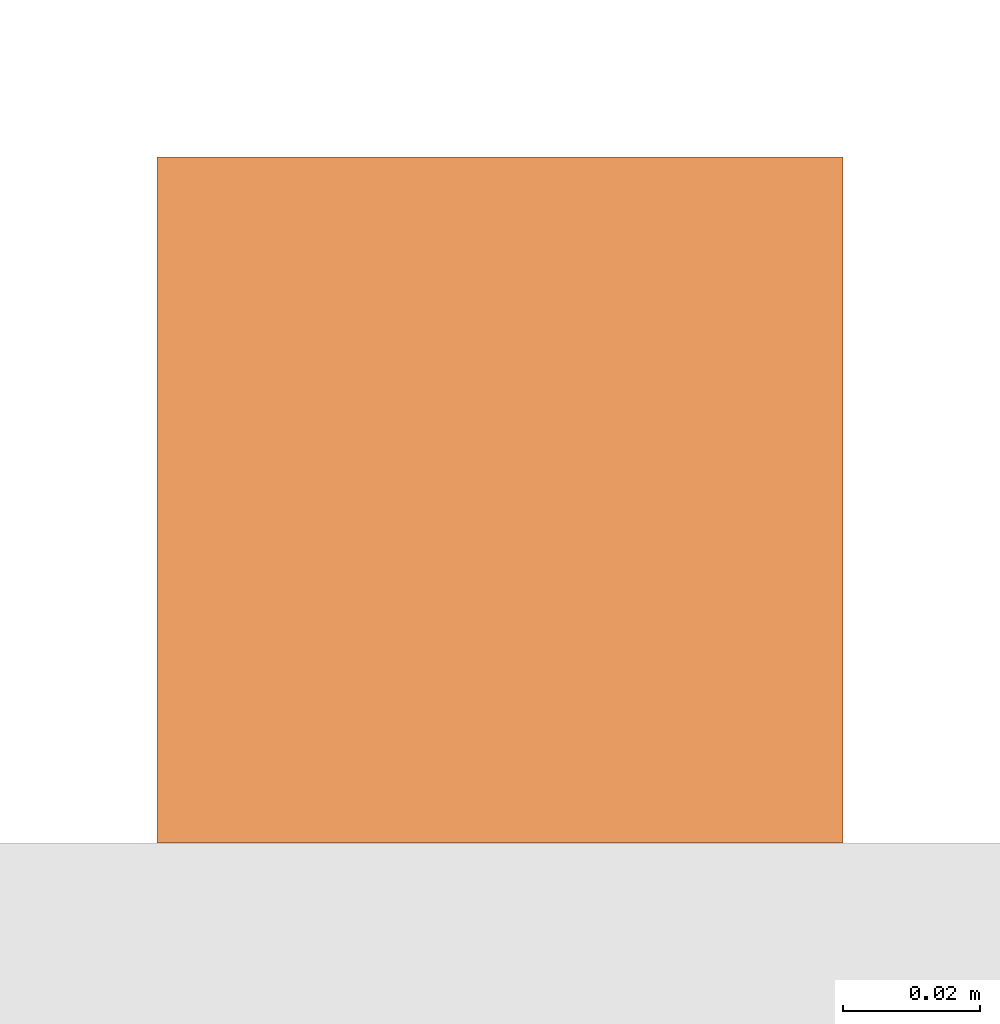
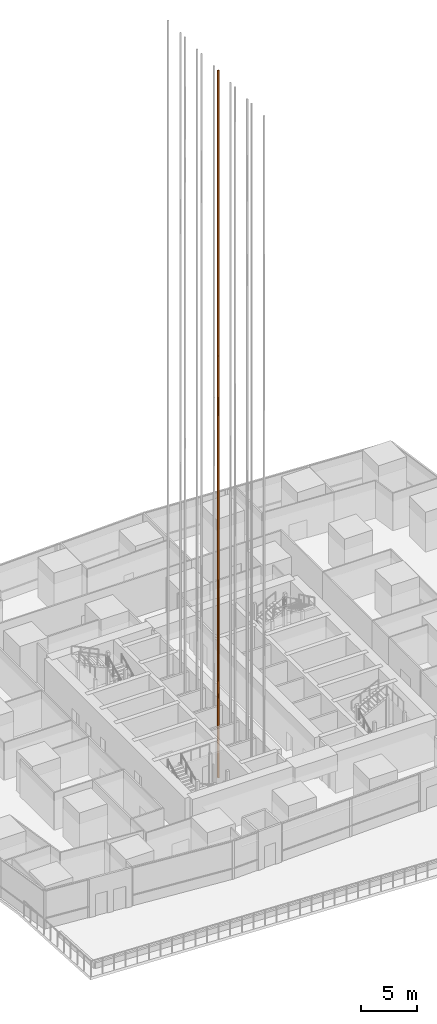
# One storey, part 38 of 44: 1 proxy.
"""IFC4 building model written with IfcOpenShell, lengths in metres."""

from ifc_helpers import new_model, si_unit, direction, frame, origin, origin_2d, place, context, subcontext, project, spatial, rectangle, extrude, material, type_object, element, save


model = new_model("IFC4")

# Units and contexts
model_context = context("Model", 3, precision=1e-05, world=origin(), true_north=direction((0.0, 1.0)))
body_context = subcontext(model_context, "Body", "Model", "MODEL_VIEW")
ifc_project = project(units=[si_unit("LENGTHUNIT", "METRE"), si_unit("AREAUNIT", "SQUARE_METRE"), si_unit("VOLUMEUNIT", "CUBIC_METRE"), si_unit("PLANEANGLEUNIT", "RADIAN"), si_unit("MASSUNIT", "GRAM", prefix="KILO")], contexts=[model_context])

# Site, building, storey
site_placement = place(None, origin())
site = spatial("IfcSite", under=ifc_project, at=site_placement, CompositionType="ELEMENT")
building_placement = place(site_placement, origin())
building = spatial("IfcBuilding", under=site, at=building_placement, Name="Rekha Terrace Tower", CompositionType="ELEMENT")
storey_placement = place(building_placement, frame((0.0, 0.0, 90.800048828125)))
storey = spatial("IfcBuildingStorey", under=building, at=storey_placement, Name="L22", CompositionType="ELEMENT", Elevation=90.800048828125)

# Proxy
ifc_material = material(Name="Steel guide rail", Category="steel")
building_element_proxy_type = type_object("IfcBuildingElementProxyType", Name="LR1 100 lift guide rail", PredefinedType="ELEMENT", material=ifc_material)
proxy_placement = place(storey_placement, frame((34.5, 32.0, -3.300048828125), z_axis=(0.0, 0.0, 1.0), x_axis=(1.0, 0.0, 0.0)))
element("IfcBuildingElementProxy", 1, at=proxy_placement, inside=storey, type_object=building_element_proxy_type, Name="Lift B3 guide rail 2", PredefinedType="ELEMENT", context=body_context, shape_type="SweptSolid", body=[
    extrude(rectangle(XDim=0.10009765625, YDim=0.10009765625, at=origin_2d()), origin(), (0.0, 0.0, 1.0), 77.39990234375),
])

save(model, "model.ifc")
